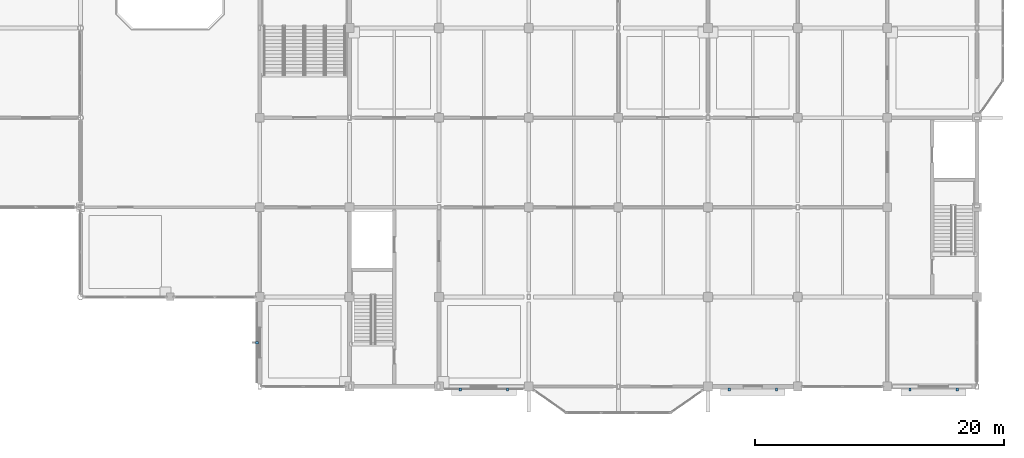
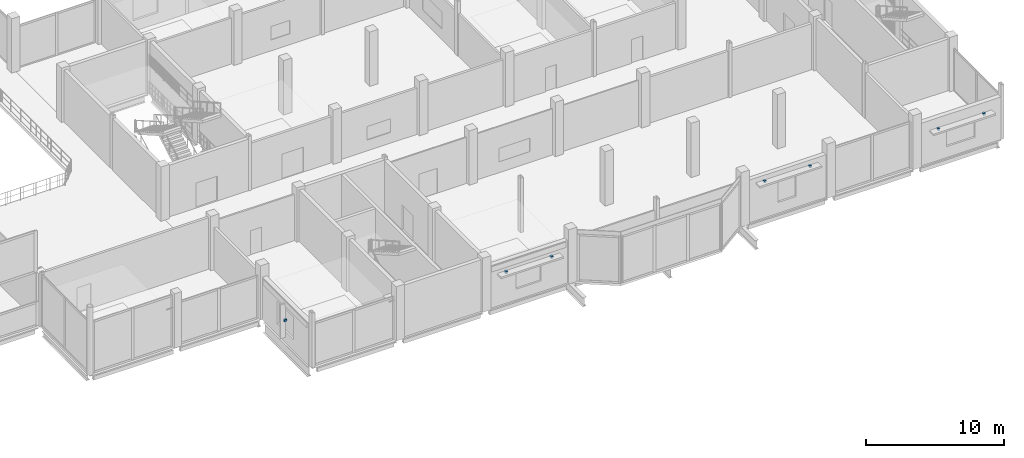
# One storey, part 101 of 120: 7 discrete accessories.
"""IFC4 building model written with IfcOpenShell, lengths in metres."""

from ifc_helpers import new_model, si_unit, direction, frame, origin, origin_2d, place, context, subcontext, project, spatial, rectangle, extrude, material, type_object, element, save


model = new_model("IFC4")

# Units and contexts
model_context = context("Model", 3, precision=1e-05, world=origin(), true_north=direction((0.0, 1.0)))
body_context = subcontext(model_context, "Body", "Model", "MODEL_VIEW")
ifc_project = project(units=[si_unit("LENGTHUNIT", "METRE"), si_unit("AREAUNIT", "SQUARE_METRE"), si_unit("VOLUMEUNIT", "CUBIC_METRE"), si_unit("PLANEANGLEUNIT", "RADIAN"), si_unit("MASSUNIT", "GRAM", prefix="KILO")], contexts=[model_context])

# Site, building, storey
site_placement = place(None, origin())
site = spatial("IfcSite", under=ifc_project, at=site_placement, CompositionType="ELEMENT")
building_placement = place(site_placement, origin())
building = spatial("IfcBuilding", under=site, at=building_placement, Name="Vesperath Aquatics Centre", CompositionType="ELEMENT")
storey_placement = place(building_placement, frame((0.0, 0.0, 10.199951171875)))
storey = spatial("IfcBuildingStorey", under=building, at=storey_placement, Name="L02", CompositionType="ELEMENT", Elevation=10.199951171875)

# Discrete accessories
ifc_material = material(Name="Stainless steel facade anchor bracket", Category="steel")
discrete_accessory_type = type_object("IfcDiscreteAccessoryType", Name="DA-BRK01", PredefinedType="BRACKET", material=ifc_material)
for number, where, z_axis, x_axis, name in (
    (1, (131.300048828125, -0.219970703125, 2.72998046875), (0.0, 0.0, 1.0), (1.0, 0.0, 0.0), "Sunshade Anchor Bracket BK01 L02_S_18_00-W"),
    (2, (135.10009765625, -0.219970703125, 2.72998046875), (0.0, 0.0, 1.0), (1.0, 0.0, 0.0), "Sunshade Anchor Bracket BK01 L02_S_18_00-E"),
    (3, (152.89990234375, -0.219970703125, 3.18017578125), (0.0, 0.0, 1.0), (1.0, 0.0, 0.0), "Sunshade Anchor Bracket BK01 L02_S_21_00-W"),
    (4, (156.699951171875, -0.219970703125, 3.18017578125), (0.0, 0.0, 1.0), (1.0, 0.0, 0.0), "Sunshade Anchor Bracket BK01 L02_S_21_00-E"),
    (5, (167.41259765625, -0.22998046875, 2.72998046875), (0.0, 0.0, 1.0), (1.0, 0.0, 0.0), "Sunshade Anchor Bracket BK01 L02_S_23_00-W"),
    (6, (171.21240234375, -0.22998046875, 2.72998046875), (0.0, 0.0, 1.0), (1.0, 0.0, 0.0), "Sunshade Anchor Bracket BK01 L02_S_23_00-E"),
):
    element("IfcDiscreteAccessory", number, at=place(storey_placement, frame(where, z_axis=z_axis, x_axis=x_axis)), inside=storey, type_object=discrete_accessory_type, Name=name, PredefinedType="BRACKET", context=body_context, shape_type="SweptSolid", body=[
        extrude(rectangle(XDim=0.179931640625, YDim=0.239990234375, at=origin_2d()), origin(), (0.0, 0.0, 1.0), 0.179931640625),
    ])
discrete_accessory_placement = place(storey_placement, frame((114.969970703125, 3.52490234375, 1.91015625), z_axis=(0.0, 0.0, 1.0), x_axis=(1.0, 0.0, 0.0)))
element("IfcDiscreteAccessory", 7, at=discrete_accessory_placement, inside=storey, type_object=discrete_accessory_type, Name="Solar Fin Bracket BK01 L02_W_16_00", PredefinedType="BRACKET", context=body_context, shape_type="SweptSolid", body=[
    extrude(rectangle(XDim=0.239990234375, YDim=0.179931640625, at=origin_2d()), origin(), (0.0, 0.0, 1.0), 0.179931640625),
])

save(model, "model.ifc")
